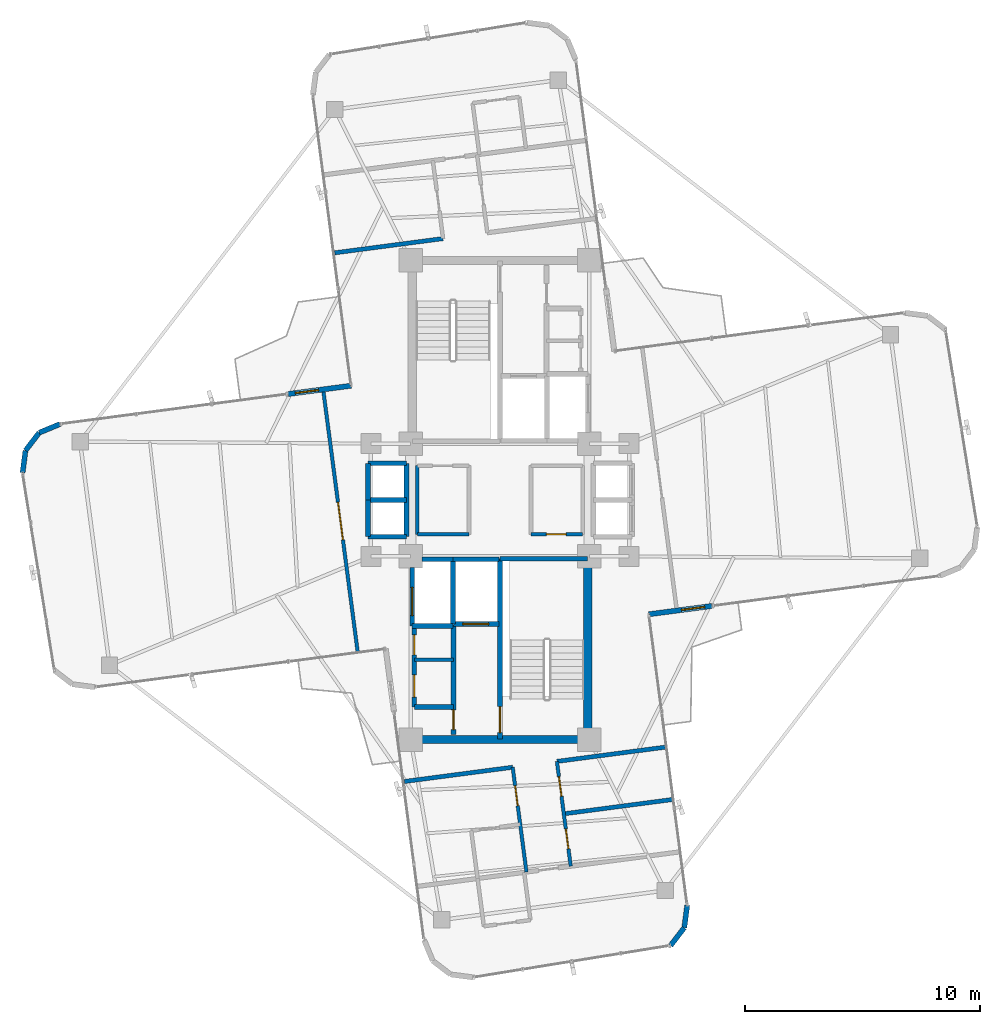
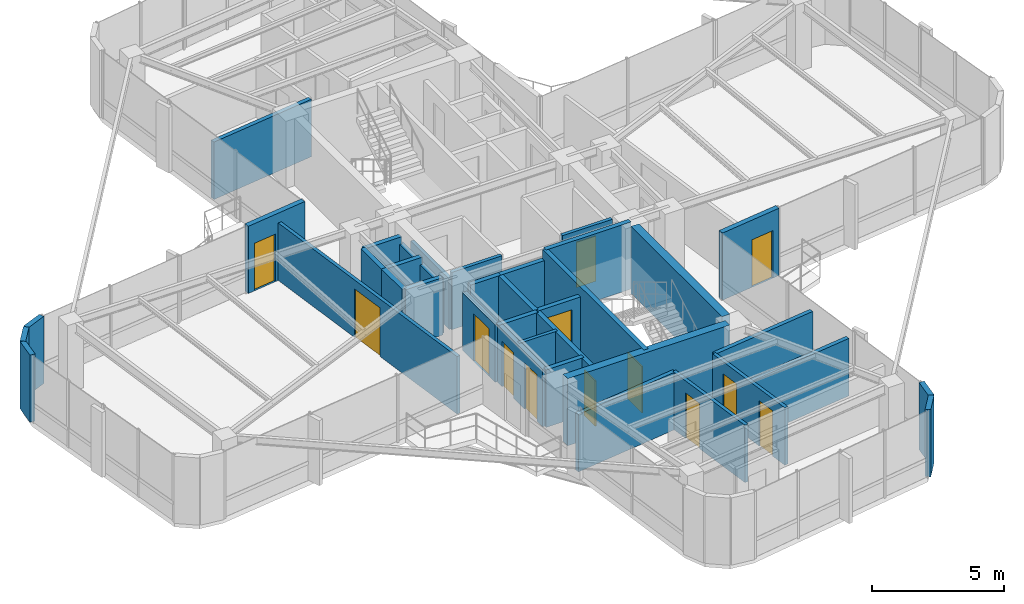
# One storey, part 18 of 21: 37 walls, 13 doors, 13 openings.
"""IFC4 building model written with IfcOpenShell, lengths in metres."""

from ifc_helpers import new_model, si_unit, direction, frame, frame_2d, origin, origin_2d, place, context, subcontext, project, spatial, rectangle, extrude, source, transform, mapped, material, layer, layer_set, type_object, element, fill, save


model = new_model("IFC4")

# Units and contexts
model_context = context("Model", 3, precision=1e-05, world=origin(), true_north=direction((0.0, 1.0)))
body_context = subcontext(model_context, "Body", "Model", "MODEL_VIEW")
ifc_project = project(units=[si_unit("LENGTHUNIT", "METRE"), si_unit("AREAUNIT", "SQUARE_METRE"), si_unit("VOLUMEUNIT", "CUBIC_METRE"), si_unit("PLANEANGLEUNIT", "RADIAN"), si_unit("MASSUNIT", "GRAM", prefix="KILO")], contexts=[model_context])

# Site, building, storey
site_placement = place(None, origin())
site = spatial("IfcSite", under=ifc_project, at=site_placement, CompositionType="ELEMENT")
building_placement = place(site_placement, origin())
building = spatial("IfcBuilding", under=site, at=building_placement, Name="Sahyath Konkavel Grand Hotel", CompositionType="ELEMENT")
storey_placement = place(building_placement, frame((0.0, 0.0, 213.199951171875)))
storey = spatial("IfcBuildingStorey", under=building, at=storey_placement, Name="L59", CompositionType="ELEMENT", Elevation=213.199951171875)

# Walls
ifc_material_1 = material(Name="Concrete C40/50", Category="concrete")
ifc_layer_1 = layer(ifc_material_1, 0.35009765625)
ifc_layer_set_1 = layer_set([ifc_layer_1], Name="Concrete C40/50")
wall_type_1 = type_object("IfcWallType", Name="CWALL-350", PredefinedType="SHEAR", material=ifc_layer_set_1)
wall_1_placement = place(storey_placement, frame((-3.550048828125, -10.199951171875, 0.0), z_axis=(0.0, 0.0, 1.0), x_axis=(1.0, 0.0, 0.0)))
element("IfcWall", 1, at=wall_1_placement, inside=storey, type_object=wall_type_1, Name="L59 South Core Shear Wall S", PredefinedType="SHEAR", context=body_context, shape_type="SweptSolid", body=[
    extrude(rectangle(XDim=7.10009765625, YDim=0.35009765625, at=frame_2d((3.550048828125, 0.0))), origin(), (0.0, 0.0, 1.0), 3.110107421875),
])
wall_2_placement = place(storey_placement, frame((3.739990234375, -9.75, 0.0), z_axis=(0.0, 0.0, 1.0), x_axis=(0.0, 1.0, 0.0)))
element("IfcWall", 2, at=wall_2_placement, inside=storey, type_object=wall_type_1, Name="L59 South Core Shear Wall E", PredefinedType="SHEAR", context=body_context, shape_type="SweptSolid", body=[
    extrude(rectangle(XDim=6.89990234375, YDim=0.35009765625, at=frame_2d((3.449951171875, 0.0))), origin(), (0.0, 0.0, 1.0), 3.110107421875),
])

# Wall, opening, door
ifc_material_2 = material(Name="Warm Buff Sandstone Insulated Concrete C40/50", Category="masonry")
ifc_layer_2 = layer(ifc_material_2, 0.219970703125)
ifc_layer_set_2 = layer_set([ifc_layer_2], Name="Warm Buff Sandstone Insulated Concrete C40/50")
wall_type_2 = type_object("IfcWallType", Name="WLL-BALC-THRESH", PredefinedType="STANDARD", material=ifc_layer_set_2)
wall_3_placement = place(storey_placement, frame((6.339111328125, -4.8642578125, 0.0), z_axis=(0.0, 0.0, 1.0), x_axis=(0.991439824936, 0.130564442062, 0.0)))
wall_3 = element("IfcWall", 3, at=wall_3_placement, inside=storey, type_object=wall_type_2, Name="L59 Winter-Garden Threshold Wall 0", PredefinedType="STANDARD", context=body_context, shape_type="SweptSolid", body=[
    extrude(rectangle(XDim=2.7001953125, YDim=0.219970703125, at=frame_2d((1.35009765625, 0.0))), origin(), (0.0, 0.0, 1.0), 3.110107421875),
])
opening_1_placement = place(wall_3_placement, frame((1.39990234375, 0.0, 0.0)))
opening_1 = element("IfcOpeningElement", 4, at=opening_1_placement, cuts=wall_3, Name="Opening D-TR1", PredefinedType="OPENING", context=body_context, shape_type="SweptSolid", body=[
    extrude(rectangle(XDim=1.0, YDim=2.199951171875, at=frame_2d((0.5, 1.10009765625))), frame((0.0, 0.1201171875, 0.0), z_axis=(0.0, -1.0, 0.0), x_axis=(1.0, 0.0, 0.0)), (0.0, 0.0, 1.0), 0.239990234375),
])
ifc_material_3 = material(Name="Anodised Bronze Aluminium & Low-E Glazing", Category="aluminium")
door_type_1 = type_object("IfcDoorType", Name="DR-TERRACE-1000", OperationType="NOTDEFINED", PredefinedType="DOOR", material=ifc_material_3)
shared_shape_1 = source(origin(), body_context, "Body", "SweptSolid", [
    extrude(rectangle(XDim=1.0, YDim=0.050048828125, at=origin_2d()), origin(), (0.0, 0.0, 1.0), 2.199951171875),
])
door_1_placement = place(opening_1_placement, frame((0.5, 0.0, 0.0)))
door_1 = element("IfcDoor", 5, at=door_1_placement, inside=storey, type_object=door_type_1, Name="L59 Winter-Garden Terrace Door 0", OperationType="SINGLE_SWING_LEFT", OverallHeight=2.199951171875, OverallWidth=1.0, PredefinedType="DOOR", context=body_context, shape_type="MappedRepresentation", body=[
    mapped(shared_shape_1, transform((0.0, 0.0, 0.0), scale=1.0)),
])
fill(opening_1, door_1)

wall_4_placement = place(storey_placement, frame((-6.339111328125, 4.8642578125, 0.0), z_axis=(0.0, 0.0, 1.0), x_axis=(-0.991439824936, -0.130564442062, 0.0)))
wall_4 = element("IfcWall", 6, at=wall_4_placement, inside=storey, type_object=wall_type_2, Name="L59 Winter-Garden Threshold Wall 16", PredefinedType="STANDARD", context=body_context, shape_type="SweptSolid", body=[
    extrude(rectangle(XDim=2.7001953125, YDim=0.219970703125, at=frame_2d((1.35009765625, 0.0))), origin(), (0.0, 0.0, 1.0), 3.110107421875),
])
opening_2_placement = place(wall_4_placement, frame((1.39990234375, 0.0, 0.0)))
opening_2 = element("IfcOpeningElement", 7, at=opening_2_placement, cuts=wall_4, Name="Opening D-TR1", PredefinedType="OPENING", context=body_context, shape_type="SweptSolid", body=[
    extrude(rectangle(XDim=1.0, YDim=2.199951171875, at=frame_2d((0.5, 1.10009765625))), frame((0.0, 0.1201171875, 0.0), z_axis=(0.0, -1.0, 0.0), x_axis=(1.0, 0.0, 0.0)), (0.0, 0.0, 1.0), 0.239990234375),
])
door_2_placement = place(opening_2_placement, frame((0.5, 0.0, 0.0)))
door_2 = element("IfcDoor", 8, at=door_2_placement, inside=storey, type_object=door_type_1, Name="L59 Winter-Garden Terrace Door 16", OperationType="SINGLE_SWING_LEFT", OverallHeight=2.199951171875, OverallWidth=1.0, PredefinedType="DOOR", context=body_context, shape_type="MappedRepresentation", body=[
    mapped(shared_shape_1, transform((0.0, 0.0, 0.0), scale=1.0)),
])
fill(opening_2, door_2)

# Walls
for number, where, z_axis, x_axis, name in (
    (9, (-18.732177734375, 3.232666015625, 0.0), (0.0, 0.0, 1.0), (-0.923889442397, -0.382659506909, 0.0), "L59 Rounded Corner Sandstone Pier 17"),
    (10, (-19.616943359375, 2.8662109375, 0.0), (0.0, 0.0, 1.0), (-0.608774010809, -0.793343685778, 0.0), "L59 Rounded Corner Sandstone Pier 18"),
    (11, (-20.199951171875, 2.1064453125, 0.0), (0.0, 0.0, 1.0), (-0.130527053476, -0.991444747987, 0.0), "L59 Rounded Corner Sandstone Pier 19"),
):
    element("IfcWall", number, at=place(storey_placement, frame(where, z_axis=z_axis, x_axis=x_axis)), inside=storey, type_object=wall_type_2, Name=name, PredefinedType="STANDARD", context=body_context, shape_type="SweptSolid", body=[
        extrude(rectangle(XDim=0.957763671875, YDim=0.219970703125, at=frame_2d((0.47900390625, 0.0))), origin(), (0.0, 0.0, 1.0), 3.110107421875),
    ])
wall_5_placement = place(storey_placement, frame((7.2626953125, -18.96630859375, 0.0), z_axis=(0.0, 0.0, 1.0), x_axis=(0.608897151398, 0.793249178392, 0.0)))
element("IfcWall", 12, at=wall_5_placement, inside=storey, type_object=wall_type_2, Name="L59 Rounded Corner Sandstone Pier 29", PredefinedType="STANDARD", context=body_context, shape_type="SweptSolid", body=[
    extrude(rectangle(XDim=0.95751953125, YDim=0.219970703125, at=frame_2d((0.478759765625, 0.0))), origin(), (0.0, 0.0, 1.0), 3.110107421875),
])
wall_6_placement = place(storey_placement, frame((7.845703125, -18.206787109375, 0.0), z_axis=(0.0, 0.0, 1.0), x_axis=(0.130527053476, 0.991444747987, 0.0)))
element("IfcWall", 13, at=wall_6_placement, inside=storey, type_object=wall_type_2, Name="L59 Rounded Corner Sandstone Pier 30", PredefinedType="STANDARD", context=body_context, shape_type="SweptSolid", body=[
    extrude(rectangle(XDim=0.957763671875, YDim=0.219970703125, at=frame_2d((0.47900390625, 0.0))), origin(), (0.0, 0.0, 1.0), 3.110107421875),
])

# Wall, opening, door
ifc_layer_3 = layer(ifc_material_1, 0.199951171875)
ifc_layer_set_3 = layer_set([ifc_layer_3], Name="Concrete C40/50")
wall_type_3 = type_object("IfcWallType", Name="WLL-CORE-200", PredefinedType="SOLIDWALL", material=ifc_layer_set_3)
wall_7_placement = place(storey_placement, frame((0.0, -10.179931640625, 0.0), z_axis=(0.0, 0.0, 1.0), x_axis=(0.0, 1.0, 0.0)))
wall_7 = element("IfcWall", 14, at=wall_7_placement, inside=storey, type_object=wall_type_3, Name="L59 Stair ST-2 Shaft Wall W", PredefinedType="SOLIDWALL", context=body_context, shape_type="SweptSolid", body=[
    extrude(rectangle(XDim=7.679931640625, YDim=0.199951171875, at=frame_2d((3.83984375, 0.0))), origin(), (0.0, 0.0, 1.0), 3.110107421875),
])
opening_3_placement = place(wall_7_placement, frame((0.280029296875, 0.0, 0.0)))
opening_3 = element("IfcOpeningElement", 15, at=opening_3_placement, cuts=wall_7, Name="Opening D-F12B", PredefinedType="OPENING", context=body_context, shape_type="SweptSolid", body=[
    extrude(rectangle(XDim=1.10009765625, YDim=2.14990234375, at=frame_2d((0.550048828125, 1.074951171875))), frame((0.0, 0.10986328125, 0.0), z_axis=(0.0, -1.0, 0.0), x_axis=(1.0, 0.0, 0.0)), (0.0, 0.0, 1.0), 0.219970703125),
])
ifc_material_4 = material(Name="Steel E350 Smokeproof Fire Door", Category="steel")
door_type_2 = type_object("IfcDoorType", Name="DR-FD120-1100", OperationType="NOTDEFINED", PredefinedType="DOOR", material=ifc_material_4)
shared_shape_2 = source(origin(), body_context, "Body", "SweptSolid", [
    extrude(rectangle(XDim=1.10009765625, YDim=0.050048828125, at=origin_2d()), origin(), (0.0, 0.0, 1.0), 2.14990234375),
])
door_3_placement = place(opening_3_placement, frame((0.550048828125, 0.0, 0.0)))
door_3 = element("IfcDoor", 16, at=door_3_placement, inside=storey, type_object=door_type_2, Name="L59 Stair ST-2 Fire Door", OperationType="SINGLE_SWING_RIGHT", OverallHeight=2.14990234375, OverallWidth=1.10009765625, PredefinedType="DOOR", context=body_context, shape_type="MappedRepresentation", body=[
    mapped(shared_shape_2, transform((0.0, 0.0, 0.0), scale=1.0)),
])
fill(opening_3, door_3)

# Wall
wall_8_placement = place(storey_placement, frame((0.0, -2.5, 0.0), z_axis=(0.0, 0.0, 1.0), x_axis=(1.0, 0.0, 0.0)))
element("IfcWall", 17, at=wall_8_placement, inside=storey, type_object=wall_type_3, Name="L59 Stair ST-2 Shaft Wall N", PredefinedType="SOLIDWALL", context=body_context, shape_type="SweptSolid", body=[
    extrude(rectangle(XDim=3.719970703125, YDim=0.199951171875, at=frame_2d((1.85986328125, 0.0))), origin(), (0.0, 0.0, 1.0), 3.110107421875),
])

# Wall, opening, door
wall_9_placement = place(storey_placement, frame((-1.97998046875, -9.97998046875, 0.0), z_axis=(0.0, 0.0, 1.0), x_axis=(0.0, 1.0, 0.0)))
wall_9 = element("IfcWall", 18, at=wall_9_placement, inside=storey, type_object=wall_type_3, Name="L59 South Firefighting Lobby Wall W", PredefinedType="SOLIDWALL", context=body_context, shape_type="SweptSolid", body=[
    extrude(rectangle(XDim=4.659912109375, YDim=0.199951171875, at=frame_2d((2.330078125, 0.0))), origin(), (0.0, 0.0, 1.0), 2.66015625),
])
opening_4_placement = place(wall_9_placement, frame((0.199951171875, 0.0, 0.0)))
opening_4 = element("IfcOpeningElement", 19, at=opening_4_placement, cuts=wall_9, Name="Opening D-F12D", PredefinedType="OPENING", context=body_context, shape_type="SweptSolid", body=[
    extrude(rectangle(XDim=0.85009765625, YDim=2.10009765625, at=frame_2d((0.425048828125, 1.050048828125))), frame((0.0, 0.10986328125, 0.0), z_axis=(0.0, -1.0, 0.0), x_axis=(1.0, 0.0, 0.0)), (0.0, 0.0, 1.0), 0.219970703125),
])
ifc_material_5 = material(Name="Steel E350 Core Fire Door", Category="steel")
door_type_3 = type_object("IfcDoorType", Name="DR-FD120-850", OperationType="NOTDEFINED", PredefinedType="DOOR", material=ifc_material_5)
shared_shape_3 = source(origin(), body_context, "Body", "SweptSolid", [
    extrude(rectangle(XDim=0.85009765625, YDim=0.050048828125, at=origin_2d()), origin(), (0.0, 0.0, 1.0), 2.10009765625),
])
door_4_placement = place(opening_4_placement, frame((0.425048828125, 0.0, 0.0)))
door_4 = element("IfcDoor", 20, at=door_4_placement, inside=storey, type_object=door_type_3, Name="L59 South Firefighting Lobby Door", OperationType="SINGLE_SWING_RIGHT", OverallHeight=2.10009765625, OverallWidth=0.85009765625, PredefinedType="DOOR", context=body_context, shape_type="MappedRepresentation", body=[
    mapped(shared_shape_3, transform((0.0, 0.0, 0.0), scale=1.0)),
])
fill(opening_4, door_4)

# Walls
wall_10_placement = place(storey_placement, frame((-2.0, -5.280029296875, 0.0), z_axis=(0.0, 0.0, 1.0), x_axis=(0.0, 1.0, 0.0)))
element("IfcWall", 21, at=wall_10_placement, inside=storey, type_object=wall_type_3, Name="L59 Partition SH-FFL2-W", PredefinedType="SOLIDWALL", context=body_context, shape_type="SweptSolid", body=[
    extrude(rectangle(XDim=2.780029296875, YDim=0.199951171875, at=frame_2d((1.39013671875, 0.0))), origin(), (0.0, 0.0, 1.0), 2.66015625),
])
wall_11_placement = place(storey_placement, frame((-2.0, -2.52001953125, 0.0), z_axis=(0.0, 0.0, 1.0), x_axis=(1.0, 0.0, 0.0)))
element("IfcWall", 22, at=wall_11_placement, inside=storey, type_object=wall_type_3, Name="L59 Partition SH-FFL2-N", PredefinedType="SOLIDWALL", context=body_context, shape_type="SweptSolid", body=[
    extrude(rectangle(XDim=1.949951171875, YDim=0.199951171875, at=frame_2d((0.97509765625, 0.0))), origin(), (0.0, 0.0, 1.0), 2.66015625),
])

# Wall, opening, door
wall_12_placement = place(storey_placement, frame((-1.97998046875, -5.280029296875, 0.0), z_axis=(0.0, 0.0, 1.0), x_axis=(1.0, 0.0, 0.0)))
wall_12 = element("IfcWall", 23, at=wall_12_placement, inside=storey, type_object=wall_type_3, Name="L59 Partition SH-FFL2-S", PredefinedType="SOLIDWALL", context=body_context, shape_type="SweptSolid", body=[
    extrude(rectangle(XDim=1.929931640625, YDim=0.199951171875, at=frame_2d((0.96484375, 0.0))), origin(), (0.0, 0.0, 1.0), 2.66015625),
])
opening_5_placement = place(wall_12_placement, frame((0.39990234375, 0.0, 0.0)))
opening_5 = element("IfcOpeningElement", 24, at=opening_5_placement, cuts=wall_12, Name="Opening LD-11", PredefinedType="OPENING", context=body_context, shape_type="SweptSolid", body=[
    extrude(rectangle(XDim=1.10009765625, YDim=2.199951171875, at=frame_2d((0.550048828125, 1.10009765625))), frame((0.0, 0.10986328125, 0.0), z_axis=(0.0, -1.0, 0.0), x_axis=(1.0, 0.0, 0.0)), (0.0, 0.0, 1.0), 0.219970703125),
])
ifc_material_6 = material(Name="Bronze Lift Landing Door 1100")
door_type_4 = type_object("IfcDoorType", Name="DR-LIFT-1100", OperationType="DOUBLE_DOOR_SLIDING", PredefinedType="DOOR", material=ifc_material_6)
shared_shape_4 = source(origin(), body_context, "Body", "SweptSolid", [
    extrude(rectangle(XDim=1.10009765625, YDim=0.050048828125, at=origin_2d()), origin(), (0.0, 0.0, 1.0), 2.199951171875),
])
door_5_placement = place(opening_5_placement, frame((0.550048828125, 0.0, 0.0)))
door_5 = element("IfcDoor", 25, at=door_5_placement, inside=storey, type_object=door_type_4, Name="L59 Lift FFL-2 Landing Door", OperationType="DOUBLE_DOOR_SLIDING", OverallHeight=2.199951171875, OverallWidth=1.10009765625, PredefinedType="DOOR", context=body_context, shape_type="MappedRepresentation", body=[
    mapped(shared_shape_4, transform((0.0, 0.0, 0.0), scale=1.0)),
])
fill(opening_5, door_5)

# Walls
wall_13_placement = place(storey_placement, frame((-3.320068359375, -2.52001953125, 0.0), z_axis=(0.0, 0.0, 1.0), x_axis=(1.0, 0.0, 0.0)))
element("IfcWall", 26, at=wall_13_placement, inside=storey, type_object=wall_type_3, Name="L59 Partition SH-SVL2-N", PredefinedType="SOLIDWALL", context=body_context, shape_type="SweptSolid", body=[
    extrude(rectangle(XDim=1.320068359375, YDim=0.199951171875, at=frame_2d((0.66015625, 0.0))), origin(), (0.0, 0.0, 1.0), 2.66015625),
])
wall_14_placement = place(storey_placement, frame((-3.739990234375, -5.360107421875, 0.0), z_axis=(0.0, 0.0, 1.0), x_axis=(1.0, 0.0, 0.0)))
element("IfcWall", 27, at=wall_14_placement, inside=storey, type_object=wall_type_3, Name="L59 Partition SH-SVL2-S", PredefinedType="SOLIDWALL", context=body_context, shape_type="SweptSolid", body=[
    extrude(rectangle(XDim=1.739990234375, YDim=0.199951171875, at=frame_2d((0.8701171875, 0.0))), origin(), (0.0, 0.0, 1.0), 2.66015625),
])

# Wall, opening, door
wall_15_placement = place(storey_placement, frame((-3.739990234375, -5.360107421875, 0.0), z_axis=(0.0, 0.0, 1.0), x_axis=(0.0, 1.0, 0.0)))
wall_15 = element("IfcWall", 28, at=wall_15_placement, inside=storey, type_object=wall_type_3, Name="L59 Partition SH-SVL2-W", PredefinedType="SOLIDWALL", context=body_context, shape_type="SweptSolid", body=[
    extrude(rectangle(XDim=2.480224609375, YDim=0.199951171875, at=frame_2d((1.240234375, 0.0))), origin(), (0.0, 0.0, 1.0), 2.66015625),
])
opening_6_placement = place(wall_15_placement, frame((0.43994140625, 0.0, 0.0)))
opening_6 = element("IfcOpeningElement", 29, at=opening_6_placement, cuts=wall_15, Name="Opening LD-12", PredefinedType="OPENING", context=body_context, shape_type="SweptSolid", body=[
    extrude(rectangle(XDim=1.199951171875, YDim=2.199951171875, at=frame_2d((0.60009765625, 1.10009765625))), frame((0.0, 0.10986328125, 0.0), z_axis=(0.0, -1.0, 0.0), x_axis=(1.0, 0.0, 0.0)), (0.0, 0.0, 1.0), 0.219970703125),
])
ifc_material_7 = material(Name="Stainless Steel Lift Landing Door 1200", Category="steel")
door_type_5 = type_object("IfcDoorType", Name="DR-LIFT-1200", OperationType="DOUBLE_DOOR_SLIDING", PredefinedType="DOOR", material=ifc_material_7)
shared_shape_5 = source(origin(), body_context, "Body", "SweptSolid", [
    extrude(rectangle(XDim=1.199951171875, YDim=0.050048828125, at=origin_2d()), origin(), (0.0, 0.0, 1.0), 2.199951171875),
])
door_6_placement = place(opening_6_placement, frame((0.60009765625, 0.0, 0.0)))
door_6 = element("IfcDoor", 30, at=door_6_placement, inside=storey, type_object=door_type_5, Name="L59 Service Lift SVL-2 Landing Door", OperationType="DOUBLE_DOOR_SLIDING", OverallHeight=2.199951171875, OverallWidth=1.199951171875, PredefinedType="DOOR", context=body_context, shape_type="MappedRepresentation", body=[
    mapped(shared_shape_5, transform((0.0, 0.0, 0.0), scale=1.0)),
])
fill(opening_6, door_6)

# Walls
wall_16_placement = place(storey_placement, frame((-3.97998046875, -1.56005859375, 0.0), z_axis=(0.0, 0.0, 1.0), x_axis=(0.0, 1.0, 0.0)))
element("IfcWall", 31, at=wall_16_placement, inside=storey, type_object=wall_type_3, Name="L59 Partition SH-SL12-E", PredefinedType="SOLIDWALL", context=body_context, shape_type="SweptSolid", body=[
    extrude(rectangle(XDim=3.1201171875, YDim=0.199951171875, at=frame_2d((1.56005859375, 0.0))), origin(), (0.0, 0.0, 1.0), 2.330078125),
])
for number, where, z_axis, x_axis, name in (
    (32, (-5.6201171875, 1.56005859375, 0.0), (0.0, 0.0, 1.0), (1.0, 0.0, 0.0), "L59 Partition SH-SL12-N"),
    (33, (-5.6201171875, -1.56005859375, 0.0), (0.0, 0.0, 1.0), (1.0, 0.0, 0.0), "L59 Partition SH-SL12-S"),
    (34, (-5.6201171875, 0.0, 0.0), (0.0, 0.0, 1.0), (1.0, 0.0, 0.0), "L59 Partition SH-SL12-M"),
):
    element("IfcWall", number, at=place(storey_placement, frame(where, z_axis=z_axis, x_axis=x_axis)), inside=storey, type_object=wall_type_3, Name=name, PredefinedType="SOLIDWALL", context=body_context, shape_type="SweptSolid", body=[
        extrude(rectangle(XDim=1.64013671875, YDim=0.199951171875, at=frame_2d((0.820068359375, 0.0))), origin(), (0.0, 0.0, 1.0), 2.66015625),
    ])
for number, where, z_axis, x_axis, name in (
    (35, (-5.6201171875, 0.0, 0.0), (0.0, 0.0, 1.0), (0.0, 1.0, 0.0), "L59 Partition SH-SL1-W"),
    (36, (-5.6201171875, -1.56005859375, 0.0), (0.0, 0.0, 1.0), (0.0, 1.0, 0.0), "L59 Partition SH-SL2-W"),
):
    element("IfcWall", number, at=place(storey_placement, frame(where, z_axis=z_axis, x_axis=x_axis)), inside=storey, type_object=wall_type_3, Name=name, PredefinedType="SOLIDWALL", context=body_context, shape_type="SweptSolid", body=[
        extrude(rectangle(XDim=1.56005859375, YDim=0.199951171875, at=frame_2d((0.780029296875, 0.0))), origin(), (0.0, 0.0, 1.0), 2.66015625),
    ])

# Wall, openings, doors
wall_17_placement = place(storey_placement, frame((-3.64990234375, -8.81005859375, 0.0), z_axis=(0.0, 0.0, 1.0), x_axis=(0.0, 1.0, 0.0)))
wall_17 = element("IfcWall", 37, at=wall_17_placement, inside=storey, type_object=wall_type_3, Name="L59 Reclaimed South Core Wall W", PredefinedType="SOLIDWALL", context=body_context, shape_type="SweptSolid", body=[
    extrude(rectangle(XDim=3.43017578125, YDim=0.199951171875, at=frame_2d((1.715087890625, 0.0))), origin(), (0.0, 0.0, 1.0), 2.66015625),
])
opening_7_placement = place(wall_17_placement, frame((0.419921875, 0.0, 0.0)))
opening_7 = element("IfcOpeningElement", 38, at=opening_7_placement, cuts=wall_17, Name="Opening D-AC95", PredefinedType="OPENING", context=body_context, shape_type="SweptSolid", body=[
    extrude(rectangle(XDim=0.949951171875, YDim=2.14990234375, at=frame_2d((0.47509765625, 1.074951171875))), frame((0.0, 0.10986328125, 0.0), z_axis=(0.0, -1.0, 0.0), x_axis=(1.0, 0.0, 0.0)), (0.0, 0.0, 1.0), 0.219970703125),
])
opening_8_placement = place(wall_17_placement, frame((2.219970703125, 0.0, 0.0)))
opening_8 = element("IfcOpeningElement", 39, at=opening_8_placement, cuts=wall_17, Name="Opening D-F06D", PredefinedType="OPENING", context=body_context, shape_type="SweptSolid", body=[
    extrude(rectangle(XDim=0.85009765625, YDim=2.10009765625, at=frame_2d((0.425048828125, 1.050048828125))), frame((0.0, 0.10986328125, 0.0), z_axis=(0.0, -1.0, 0.0), x_axis=(1.0, 0.0, 0.0)), (0.0, 0.0, 1.0), 0.219970703125),
])
ifc_material_8 = material(Name="Accessible Washroom Timber Door", Category="wood")
door_type_6 = type_object("IfcDoorType", Name="DR-ACC-950", OperationType="NOTDEFINED", PredefinedType="DOOR", material=ifc_material_8)
shared_shape_6 = source(origin(), body_context, "Body", "SweptSolid", [
    extrude(rectangle(XDim=0.949951171875, YDim=0.050048828125, at=origin_2d()), origin(), (0.0, 0.0, 1.0), 2.14990234375),
])
door_7_placement = place(opening_7_placement, frame((0.47509765625, 0.0, 0.0)))
door_7 = element("IfcDoor", 40, at=door_7_placement, inside=storey, type_object=door_type_6, Name="L59 Door SC-REC1-D", OperationType="SINGLE_SWING_LEFT", OverallHeight=2.14990234375, OverallWidth=0.949951171875, PredefinedType="DOOR", context=body_context, shape_type="MappedRepresentation", body=[
    mapped(shared_shape_6, transform((0.0, 0.0, 0.0), scale=1.0)),
])
fill(opening_7, door_7)
ifc_material_9 = material(Name="Fire-Rated Shaft Access Door")
door_type_7 = type_object("IfcDoorType", Name="DR-FD60-850", OperationType="NOTDEFINED", PredefinedType="DOOR", material=ifc_material_9)
door_8_placement = place(opening_8_placement, frame((0.425048828125, 0.0, 0.0)))
door_8 = element("IfcDoor", 41, at=door_8_placement, inside=storey, type_object=door_type_7, Name="L59 Door SC-REC2-D", OperationType="SINGLE_SWING_RIGHT", OverallHeight=2.10009765625, OverallWidth=0.85009765625, PredefinedType="DOOR", context=body_context, shape_type="MappedRepresentation", body=[
    mapped(shared_shape_3, transform((0.0, 0.0, 0.0), scale=1.0)),
])
fill(opening_8, door_8)

# Walls
wall_18_placement = place(storey_placement, frame((-3.64990234375, -8.81005859375, 0.0), z_axis=(0.0, 0.0, 1.0), x_axis=(1.0, 0.0, 0.0)))
element("IfcWall", 42, at=wall_18_placement, inside=storey, type_object=wall_type_3, Name="L59 Partition SC-REC-S", PredefinedType="SOLIDWALL", context=body_context, shape_type="SweptSolid", body=[
    extrude(rectangle(XDim=1.669921875, YDim=0.199951171875, at=frame_2d((0.8349609375, 0.0))), origin(), (0.0, 0.0, 1.0), 2.66015625),
])
ifc_material_10 = material(Name="Twin-Stud Acoustic Gypsum Plasterboard Partition")
ifc_layer_4 = layer(ifc_material_10, 0.179931640625)
ifc_layer_set_4 = layer_set([ifc_layer_4], Name="Twin-Stud Acoustic Gypsum Plasterboard Partition")
wall_type_4 = type_object("IfcWallType", Name="WLL-DEMISE-180", PredefinedType="PARTITIONING", material=ifc_layer_set_4)
for number, where, z_axis, x_axis, name in (
    (43, (-2.42333984375, 11.12890625, 0.0), (0.0, 0.0, 1.0), (-0.991445715827, -0.13051970184, 0.0), "L59 Partition N-INL"),
    (44, (2.42333984375, -11.12890625, 0.0), (0.0, 0.0, 1.0), (0.991445715827, 0.13051970184, 0.0), "L59 Partition S-INL"),
):
    element("IfcWall", number, at=place(storey_placement, frame(where, z_axis=z_axis, x_axis=x_axis)), inside=storey, type_object=wall_type_4, Name=name, PredefinedType="PARTITIONING", context=body_context, shape_type="SweptSolid", body=[
        extrude(rectangle(XDim=4.650146484375, YDim=0.179931640625, at=frame_2d((2.3251953125, 0.0))), origin(), (0.0, 0.0, 1.0), 2.66015625),
    ])
for number, where, z_axis, x_axis, name in (
    (45, (-4.070556640625, -11.98388671875, 0.0), (0.0, 0.0, 1.0), (0.991444821367, 0.130526496103, 0.0), "L59 Partition S-INR"),
    (46, (2.717041015625, -13.359619140625, 0.0), (0.0, 0.0, 1.0), (0.991444821367, 0.130526496103, 0.0), "L59 Partition S-S4L1-DEM"),
):
    element("IfcWall", number, at=place(storey_placement, frame(where, z_axis=z_axis, x_axis=x_axis)), inside=storey, type_object=wall_type_4, Name=name, PredefinedType="PARTITIONING", context=body_context, shape_type="SweptSolid", body=[
        extrude(rectangle(XDim=4.64990234375, YDim=0.179931640625, at=frame_2d((2.324951171875, 0.0))), origin(), (0.0, 0.0, 1.0), 2.66015625),
    ])
ifc_material_11 = material(Name="Fire-Rated Gypsum Plasterboard Partition")
ifc_layer_5 = layer(ifc_material_11, 0.14990234375)
ifc_layer_set_5 = layer_set([ifc_layer_5], Name="Fire-Rated Gypsum Plasterboard Partition")
wall_type_5 = type_object("IfcWallType", Name="WLL-PART-150", PredefinedType="PARTITIONING", material=ifc_layer_set_5)
wall_19_placement = place(storey_placement, frame((-3.64990234375, -6.81005859375, 0.0), z_axis=(0.0, 0.0, 1.0), x_axis=(1.0, 0.0, 0.0)))
element("IfcWall", 47, at=wall_19_placement, inside=storey, type_object=wall_type_5, Name="L59 Partition SC-REC-M1", PredefinedType="PARTITIONING", context=body_context, shape_type="SweptSolid", body=[
    extrude(rectangle(XDim=1.669921875, YDim=0.14990234375, at=frame_2d((0.8349609375, 0.0))), origin(), (0.0, 0.0, 1.0), 2.66015625),
])
wall_20_placement = place(storey_placement, frame((-3.52001953125, -1.4599609375, 0.0), z_axis=(0.0, 0.0, 1.0), x_axis=(0.0, 1.0, 0.0)))
element("IfcWall", 48, at=wall_20_placement, inside=storey, type_object=wall_type_5, Name="L59 Partition CC-1WO", PredefinedType="PARTITIONING", context=body_context, shape_type="SweptSolid", body=[
    extrude(rectangle(XDim=2.919921875, YDim=0.14990234375, at=frame_2d((1.4599609375, 0.0))), origin(), (0.0, 0.0, 1.0), 2.330078125),
])
wall_21_placement = place(storey_placement, frame((-3.52001953125, -1.4599609375, 0.0), z_axis=(0.0, 0.0, 1.0), x_axis=(1.0, 0.0, 0.0)))
element("IfcWall", 49, at=wall_21_placement, inside=storey, type_object=wall_type_5, Name="L59 Partition CC-1WS", PredefinedType="PARTITIONING", context=body_context, shape_type="SweptSolid", body=[
    extrude(rectangle(XDim=2.199951171875, YDim=0.14990234375, at=frame_2d((1.10009765625, 0.0))), origin(), (0.0, 0.0, 1.0), 2.66015625),
])

# Wall, opening, door
wall_22_placement = place(storey_placement, frame((1.320068359375, -1.4599609375, 0.0), z_axis=(0.0, 0.0, 1.0), x_axis=(1.0, 0.0, 0.0)))
wall_22 = element("IfcWall", 50, at=wall_22_placement, inside=storey, type_object=wall_type_5, Name="L59 Partition CC-1ES", PredefinedType="PARTITIONING", context=body_context, shape_type="SweptSolid", body=[
    extrude(rectangle(XDim=2.199951171875, YDim=0.14990234375, at=frame_2d((1.10009765625, 0.0))), origin(), (0.0, 0.0, 1.0), 2.66015625),
])
opening_9_placement = place(wall_22_placement, frame((0.64990234375, 0.0, 0.0)))
opening_9 = element("IfcOpeningElement", 51, at=opening_9_placement, cuts=wall_22, Name="Opening D-F06D", PredefinedType="OPENING", context=body_context, shape_type="SweptSolid", body=[
    extrude(rectangle(XDim=0.85009765625, YDim=2.10009765625, at=frame_2d((0.425048828125, 1.050048828125))), frame((0.0, 0.0849609375, 0.0), z_axis=(0.0, -1.0, 0.0), x_axis=(1.0, 0.0, 0.0)), (0.0, 0.0, 1.0), 0.169921875),
])
door_9_placement = place(opening_9_placement, frame((0.425048828125, 0.0, 0.0)))
door_9 = element("IfcDoor", 52, at=door_9_placement, inside=storey, type_object=door_type_7, Name="L59 Door CC-D1E", OperationType="SINGLE_SWING_RIGHT", OverallHeight=2.10009765625, OverallWidth=0.85009765625, PredefinedType="DOOR", context=body_context, shape_type="MappedRepresentation", body=[
    mapped(shared_shape_3, transform((0.0, 0.0, 0.0), scale=1.0)),
])
fill(opening_9, door_9)

wall_23_placement = place(storey_placement, frame((-7.522216796875, 4.657958984375, 0.0), z_axis=(0.0, 0.0, 1.0), x_axis=(0.130505824974, -0.99144754256, 0.0)))
wall_23 = element("IfcWall", 53, at=wall_23_placement, inside=storey, type_object=wall_type_5, Name="L59 Partition W-SAL-IN", PredefinedType="PARTITIONING", context=body_context, shape_type="SweptSolid", body=[
    extrude(rectangle(XDim=11.199951171875, YDim=0.14990234375, at=frame_2d((5.60009765625, 0.0))), origin(), (0.0, 0.0, 1.0), 2.66015625),
])
opening_10_placement = place(wall_23_placement, frame((4.800048828125, 0.0, 0.0)))
opening_10 = element("IfcOpeningElement", 54, at=opening_10_placement, cuts=wall_23, Name="Opening D-DB16", PredefinedType="OPENING", context=body_context, shape_type="SweptSolid", body=[
    extrude(rectangle(XDim=1.60009765625, YDim=2.25, at=frame_2d((0.800048828125, 1.125))), frame((0.0, 0.0849609375, 0.0), z_axis=(0.0, -1.0, 0.0), x_axis=(1.0, 0.0, 0.0)), (0.0, 0.0, 1.0), 0.169921875),
])
ifc_material_12 = material(Name="Double Leaf Lounge Glazed Timber Door", Category="wood")
door_type_8 = type_object("IfcDoorType", Name="DR-DBL-1600", OperationType="DOUBLE_DOOR_SINGLE_SWING", PredefinedType="DOOR", material=ifc_material_12)
shared_shape_7 = source(origin(), body_context, "Body", "SweptSolid", [
    extrude(rectangle(XDim=1.60009765625, YDim=0.050048828125, at=origin_2d()), origin(), (0.0, 0.0, 1.0), 2.25),
])
door_10_placement = place(opening_10_placement, frame((0.800048828125, 0.0, 0.0)))
door_10 = element("IfcDoor", 55, at=door_10_placement, inside=storey, type_object=door_type_8, Name="L59 Door W-SAL-D", OperationType="DOUBLE_DOOR_SINGLE_SWING", OverallHeight=2.25, OverallWidth=1.60009765625, PredefinedType="DOOR", context=body_context, shape_type="MappedRepresentation", body=[
    mapped(shared_shape_7, transform((0.0, 0.0, 0.0), scale=1.0)),
])
fill(opening_10, door_10)

# Wall, openings, doors
wall_24_placement = place(storey_placement, frame((2.42333984375, -11.12890625, 0.0), z_axis=(0.0, 0.0, 1.0), x_axis=(0.130535912089, -0.99144358168, 0.0)))
wall_24 = element("IfcWall", 56, at=wall_24_placement, inside=storey, type_object=wall_type_5, Name="L59 Partition S-CL", PredefinedType="PARTITIONING", context=body_context, shape_type="SweptSolid", body=[
    extrude(rectangle(XDim=4.5, YDim=0.14990234375, at=frame_2d((2.25, 0.0))), origin(), (0.0, 0.0, 1.0), 2.66015625),
])
opening_11_placement = place(wall_24_placement, frame((0.64990234375, 0.0, 0.0)))
opening_11 = element("IfcOpeningElement", 57, at=opening_11_placement, cuts=wall_24, Name="Opening D-F06D", PredefinedType="OPENING", context=body_context, shape_type="SweptSolid", body=[
    extrude(rectangle(XDim=0.85009765625, YDim=2.10009765625, at=frame_2d((0.425048828125, 1.050048828125))), frame((0.0, 0.0849609375, 0.0), z_axis=(0.0, -1.0, 0.0), x_axis=(1.0, 0.0, 0.0)), (0.0, 0.0, 1.0), 0.169921875),
])
opening_12_placement = place(wall_24_placement, frame((2.89990234375, 0.0, 0.0)))
opening_12 = element("IfcOpeningElement", 58, at=opening_12_placement, cuts=wall_24, Name="Opening D-F06D", PredefinedType="OPENING", context=body_context, shape_type="SweptSolid", body=[
    extrude(rectangle(XDim=0.85009765625, YDim=2.10009765625, at=frame_2d((0.425048828125, 1.050048828125))), frame((0.0, 0.0849609375, 0.0), z_axis=(0.0, -1.0, 0.0), x_axis=(1.0, 0.0, 0.0)), (0.0, 0.0, 1.0), 0.169921875),
])
door_11_placement = place(opening_11_placement, frame((0.425048828125, 0.0, 0.0)))
door_11 = element("IfcDoor", 59, at=door_11_placement, inside=storey, type_object=door_type_7, Name="L59 Door S-S4L1-D", OperationType="SINGLE_SWING_LEFT", OverallHeight=2.10009765625, OverallWidth=0.85009765625, PredefinedType="DOOR", context=body_context, shape_type="MappedRepresentation", body=[
    mapped(shared_shape_3, transform((0.0, 0.0, 0.0), scale=1.0)),
])
fill(opening_11, door_11)
door_12_placement = place(opening_12_placement, frame((0.425048828125, 0.0, 0.0)))
door_12 = element("IfcDoor", 60, at=door_12_placement, inside=storey, type_object=door_type_7, Name="L59 Door S-S4L2-D", OperationType="SINGLE_SWING_RIGHT", OverallHeight=2.10009765625, OverallWidth=0.85009765625, PredefinedType="DOOR", context=body_context, shape_type="MappedRepresentation", body=[
    mapped(shared_shape_3, transform((0.0, 0.0, 0.0), scale=1.0)),
])
fill(opening_12, door_12)

# Wall, opening, door
wall_25_placement = place(storey_placement, frame((0.53955078125, -11.376953125, 0.0), z_axis=(0.0, 0.0, 1.0), x_axis=(0.130535912089, -0.99144358168, 0.0)))
wall_25 = element("IfcWall", 61, at=wall_25_placement, inside=storey, type_object=wall_type_5, Name="L59 Partition S-CR", PredefinedType="PARTITIONING", context=body_context, shape_type="SweptSolid", body=[
    extrude(rectangle(XDim=4.5, YDim=0.14990234375, at=frame_2d((2.25, 0.0))), origin(), (0.0, 0.0, 1.0), 2.66015625),
])
opening_13_placement = place(wall_25_placement, frame((0.800048828125, 0.0, 0.0)))
opening_13 = element("IfcOpeningElement", 62, at=opening_13_placement, cuts=wall_25, Name="Opening D-F06D", PredefinedType="OPENING", context=body_context, shape_type="SweptSolid", body=[
    extrude(rectangle(XDim=0.85009765625, YDim=2.10009765625, at=frame_2d((0.425048828125, 1.050048828125))), frame((0.0, 0.0849609375, 0.0), z_axis=(0.0, -1.0, 0.0), x_axis=(1.0, 0.0, 0.0)), (0.0, 0.0, 1.0), 0.169921875),
])
door_13_placement = place(opening_13_placement, frame((0.425048828125, 0.0, 0.0)))
door_13 = element("IfcDoor", 63, at=door_13_placement, inside=storey, type_object=door_type_7, Name="L59 Door S-S4R1-ED", OperationType="SINGLE_SWING_RIGHT", OverallHeight=2.10009765625, OverallWidth=0.85009765625, PredefinedType="DOOR", context=body_context, shape_type="MappedRepresentation", body=[
    mapped(shared_shape_3, transform((0.0, 0.0, 0.0), scale=1.0)),
])
fill(opening_13, door_13)

save(model, "model.ifc")
